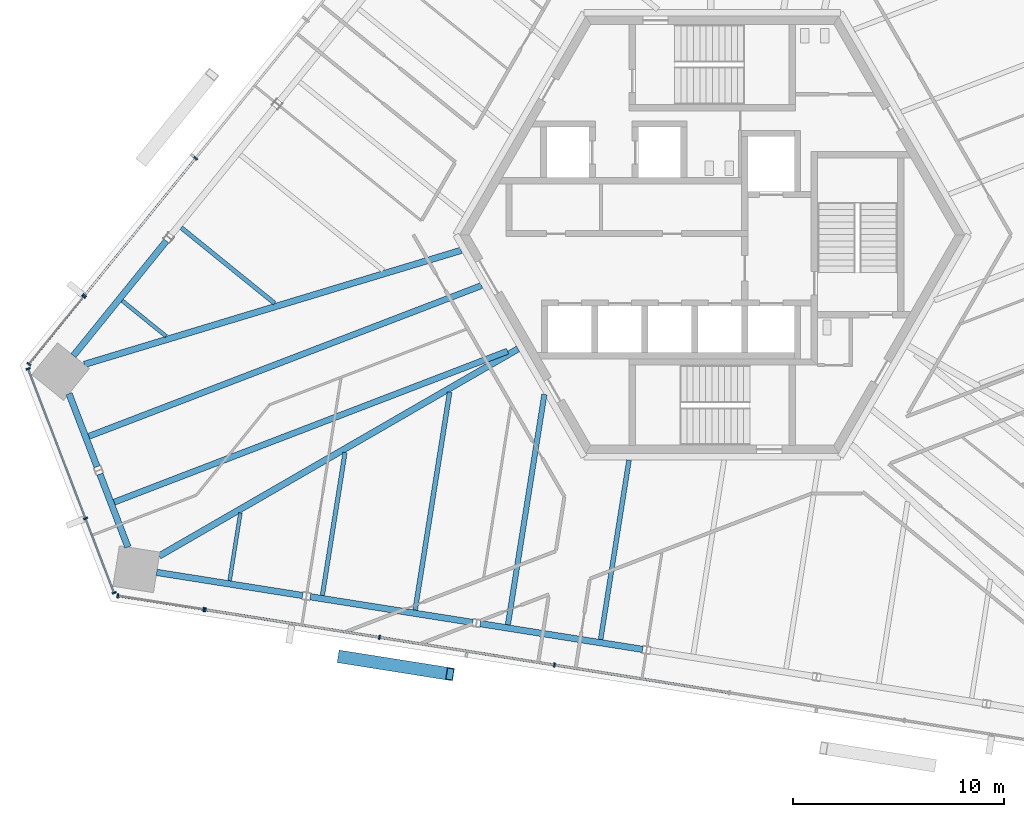
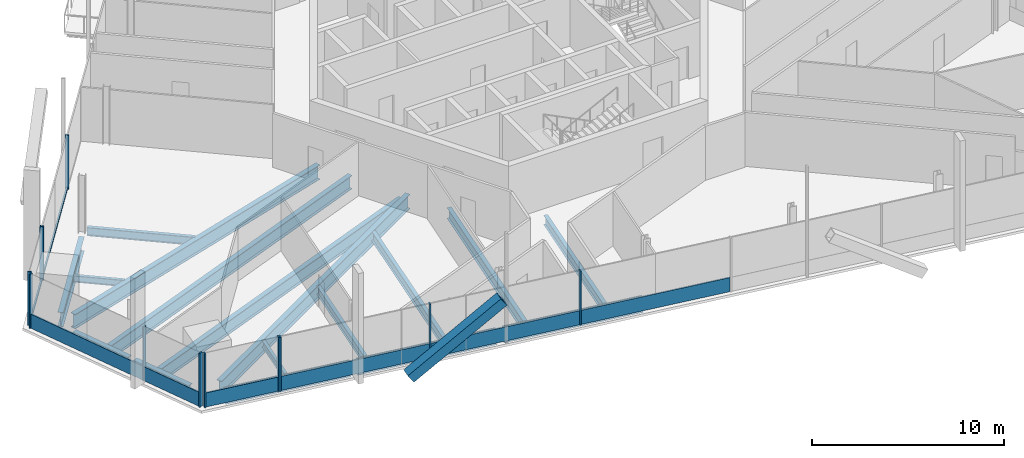
# One storey, part 4 of 21: 21 members, 17 beams, 5 elements without a shape of their own.
"""IFC4 building model written with IfcOpenShell, lengths in metres."""

import ifcopenshell
import ifcopenshell.guid

model = None  # the IFC model being written
_history = None  # IfcOwnerHistory: only IFC2X3 demands one
_inside = {}  # id of a spatial element -> (the spatial element, [elements in it])
_under = {}  # id of a project, library or spatial element -> (it, [spatial elements below it])
_declared = {}  # id of a project -> (the project, [libraries it declares])
_typed = {}  # id of a type object -> (the type object, [elements of that type])
_made_of = {}  # id of a material, layer set ... -> (it, [elements and type objects made of it])


def new_model(schema):
    """Start an empty IFC model of exactly this schema.

    Asked for "IFC4X3", IfcOpenShell would pick the latest addendum, in which some entities
    have other attributes; the version numbers below select the first issue.
    IFC2X3 requires an IfcOwnerHistory on every rooted entity: one is made here for all.
    """
    global model, _history
    if schema == "IFC4X3":
        model = ifcopenshell.file(schema_version=(4, 3, 0, 0))
    else:
        model = ifcopenshell.file(schema=schema)
    _inside.clear()
    _under.clear()
    _declared.clear()
    _typed.clear()
    _made_of.clear()
    _history = None
    if model.schema == "IFC2X3":
        org = make("IfcOrganization", Name="unknown")
        user = make(
            "IfcPersonAndOrganization",
            ThePerson=make("IfcPerson", FamilyName="unknown"),
            TheOrganization=org,
        )
        app = make(
            "IfcApplication",
            ApplicationDeveloper=org,
            Version="unknown",
            ApplicationFullName="unknown",
            ApplicationIdentifier="unknown",
        )
        _history = make(
            "IfcOwnerHistory",
            OwningUser=user,
            OwningApplication=app,
            ChangeAction="ADDED",
            CreationDate=0,
        )
    return model


def make(cls, **values):
    """One entity of the class cls with the attributes given. An attribute that is None is left unset."""
    return model.create_entity(
        cls, **{name: value for name, value in values.items() if value is not None}
    )


def rooted(cls, **values):
    """An entity with a GlobalId (a new one), such as an element, a storey or a relation."""
    return make(cls, GlobalId=ifcopenshell.guid.new(), OwnerHistory=_history, **values)


def si_unit(unit_type, name, prefix=None):
    """IfcSIUnit, for example si_unit("LENGTHUNIT", "METRE", prefix="MILLI")."""
    return make("IfcSIUnit", UnitType=unit_type, Prefix=prefix, Name=name)


def assignment(units):
    """IfcUnitAssignment: the units of a project."""
    return None if units is None else make("IfcUnitAssignment", Units=units)


def point(xyz):
    """IfcCartesianPoint."""
    return None if xyz is None else make("IfcCartesianPoint", Coordinates=xyz)


def direction(xyz):
    """IfcDirection."""
    return None if xyz is None else make("IfcDirection", DirectionRatios=xyz)


def frame(location, z_axis=None, x_axis=None):
    """IfcAxis2Placement3D, a coordinate frame: its origin and axes. An axis left out is left unset."""
    return make(
        "IfcAxis2Placement3D",
        Location=point(location),
        Axis=direction(z_axis),
        RefDirection=direction(x_axis),
    )


def frame_2d(location, x_axis=None):
    """IfcAxis2Placement2D, a coordinate frame in the plane: its origin and x axis."""
    return make(
        "IfcAxis2Placement2D", Location=point(location), RefDirection=direction(x_axis)
    )


def origin():
    """The frame at (0, 0, 0) with its axes left unset."""
    return frame((0.0, 0.0, 0.0))


def origin_2d():
    """The frame at (0, 0) in the plane with its x axis left unset."""
    return frame_2d((0.0, 0.0))


def place(relative_to, where):
    """IfcLocalPlacement: puts the frame where relative to a parent placement (None: the world)."""
    return make(
        "IfcLocalPlacement", PlacementRelTo=relative_to, RelativePlacement=where
    )


def context(
    kind, dimensions, precision=None, world=None, true_north=None, identifier=None
):
    """IfcGeometricRepresentationContext, for example the 3D "Model" context."""
    return make(
        "IfcGeometricRepresentationContext",
        ContextIdentifier=identifier,
        ContextType=kind,
        CoordinateSpaceDimension=dimensions,
        Precision=precision,
        WorldCoordinateSystem=world,
        TrueNorth=true_north,
    )


def subcontext(parent, identifier, kind, view, scale=None):
    """IfcGeometricRepresentationSubContext, for example "Body" below "Model"."""
    return make(
        "IfcGeometricRepresentationSubContext",
        ContextIdentifier=identifier,
        ContextType=kind,
        ParentContext=parent,
        TargetScale=scale,
        TargetView=view,
    )


def project(units=None, contexts=None):
    """IfcProject with its units and contexts."""
    return rooted(
        "IfcProject",
        Name="project",
        RepresentationContexts=contexts,
        UnitsInContext=assignment(units),
    )


def spatial(cls, under=None, at=None, **own):
    """A site, building, storey or space (cls), placed at a placement, below another one or the project."""
    s = rooted(cls, ObjectPlacement=at, **own)
    if under is not None:
        _under.setdefault(under.id(), (under, []))[1].append(s)
    return s


def profile(cls, at=None, kind="AREA", **sizes):
    """A parametric profile (cls). Its sizes go by their IFC names, for example OverallWidth=200.0."""
    return make(cls, ProfileType=kind, Position=at, **sizes)


def rectangle(**sizes):
    """IfcRectangleProfileDef."""
    return profile("IfcRectangleProfileDef", **sizes)


def hollow_rectangle(**sizes):
    """IfcRectangleHollowProfileDef."""
    return profile("IfcRectangleHollowProfileDef", **sizes)


def i_section(**sizes):
    """IfcIShapeProfileDef."""
    return profile("IfcIShapeProfileDef", **sizes)


def extrude(swept, where, along, depth):
    """IfcExtrudedAreaSolid: the profile swept, set in the frame where, extruded along a direction by depth."""
    return make(
        "IfcExtrudedAreaSolid",
        SweptArea=swept,
        Position=where,
        ExtrudedDirection=direction(along),
        Depth=depth,
    )


def shape(context_of_items, identifier, shape_type, items):
    """IfcShapeRepresentation: the items that make up one representation, for example the "Body"."""
    return make(
        "IfcShapeRepresentation",
        ContextOfItems=context_of_items,
        RepresentationIdentifier=identifier,
        RepresentationType=shape_type,
        Items=items,
    )


def source(mapping_origin, context_of_items, identifier, shape_type, items):
    """IfcRepresentationMap: a shape defined once, which mapped items show again and again."""
    return make(
        "IfcRepresentationMap",
        MappingOrigin=mapping_origin,
        MappedRepresentation=shape(context_of_items, identifier, shape_type, items),
    )


def transform(
    local_origin,
    x_axis=None,
    y_axis=None,
    z_axis=None,
    scale=None,
    scale2=None,
    scale3=None,
    uniform=True,
):
    """IfcCartesianTransformationOperator3D, or its non-uniform kind. x_axis, y_axis, z_axis: its Axis1, 2, 3."""
    if uniform:
        return make(
            "IfcCartesianTransformationOperator3D",
            Axis1=direction(x_axis),
            Axis2=direction(y_axis),
            LocalOrigin=point(local_origin),
            Scale=scale,
            Axis3=direction(z_axis),
        )
    return make(
        "IfcCartesianTransformationOperator3DnonUniform",
        Axis1=direction(x_axis),
        Axis2=direction(y_axis),
        LocalOrigin=point(local_origin),
        Scale=scale,
        Axis3=direction(z_axis),
        Scale2=scale2,
        Scale3=scale3,
    )


def mapped(mapping_source, mapping_target):
    """IfcMappedItem: shows the shape of a source again, moved by a transform."""
    return make(
        "IfcMappedItem", MappingSource=mapping_source, MappingTarget=mapping_target
    )


def material(Name=None, Category=None):
    """IfcMaterial."""
    return make("IfcMaterial", Name=Name, Category=Category)


def material_profile(
    of_material, cross_section, Name=None, Category=None, Priority=None
):
    """IfcMaterialProfile: a cross section and its material."""
    return make(
        "IfcMaterialProfile",
        Name=Name,
        Material=of_material,
        Profile=cross_section,
        Priority=Priority,
        Category=Category,
    )


def profile_set(profiles, Name=None, composite=None):
    """IfcMaterialProfileSet."""
    return make(
        "IfcMaterialProfileSet",
        Name=Name,
        MaterialProfiles=profiles,
        CompositeProfile=composite,
    )


def made_of(thing, what):
    """Note that an element or type object is made of a material, layer set ...; save() writes the relation."""
    if what is not None:
        _made_of.setdefault(what.id(), (what, []))[1].append(thing)
    return thing


def type_object(cls, material=None, **own):
    """A type object (cls), such as IfcWallType, which elements share."""
    return made_of(rooted(cls, **own), material)


def element(
    cls,
    number,
    at=None,
    inside=None,
    cuts=None,
    type_object=None,
    material=None,
    context=None,
    identifier="Body",
    shape_type=None,
    held_by="IfcProductDefinitionShape",
    body=None,
    shapes=None,
    **own,
):
    """One element of the class cls, such as IfcWall. Its Tag is "e" and its number.

    at: its placement. inside: the storey or other place that contains it. cuts: it is an
    opening in that element (IfcRelVoidsElement). A single representation is given by context,
    identifier, shape_type and body (its items); several are given by shapes. held_by: the class
    of the entity that holds the representations. save() writes the other relations.
    """
    e = rooted(cls, Tag="e%d" % number, ObjectPlacement=at, **own)
    if body is not None:
        shapes = [shape(context, identifier, shape_type, body)]
    if shapes is not None:
        e.Representation = make(held_by, Representations=shapes)
    if inside is not None:
        _inside.setdefault(inside.id(), (inside, []))[1].append(e)
    if cuts is not None:
        rooted(
            "IfcRelVoidsElement", RelatingBuildingElement=cuts, RelatedOpeningElement=e
        )
    if type_object is not None:
        _typed.setdefault(type_object.id(), (type_object, []))[1].append(e)
    return made_of(e, material)


def aggregate(whole, parts):
    """IfcRelAggregates: a whole, such as a stair, and the parts it consists of."""
    return rooted("IfcRelAggregates", RelatingObject=whole, RelatedObjects=parts)


def save(model, path):
    """Write the relations noted so far, then the file.

    IfcRelAggregates (storeys below a building ...), IfcRelContainedInSpatialStructure (elements
    in a storey), IfcRelDefinesByType, IfcRelAssociatesMaterial and IfcRelDeclares: one each for
    every whole, place, type object, material and project.
    """
    for whole, parts in _under.values():
        aggregate(whole, parts)
    for where, things in _inside.values():
        rooted(
            "IfcRelContainedInSpatialStructure",
            RelatedElements=things,
            RelatingStructure=where,
        )
    for kind, things in _typed.values():
        rooted("IfcRelDefinesByType", RelatedObjects=things, RelatingType=kind)
    for what, things in _made_of.values():
        rooted("IfcRelAssociatesMaterial", RelatedObjects=things, RelatingMaterial=what)
    for by, libraries in _declared.values():
        rooted("IfcRelDeclares", RelatingContext=by, RelatedDefinitions=libraries)
    model.write(path)


model = new_model("IFC4")

# Units and contexts
model_context = context("Model", 3, precision=1e-05, world=origin(), true_north=direction((0.0, 1.0)))
body_context = subcontext(model_context, "Body", "Model", "MODEL_VIEW")
ifc_project = project(units=[si_unit("LENGTHUNIT", "METRE"), si_unit("AREAUNIT", "SQUARE_METRE"), si_unit("VOLUMEUNIT", "CUBIC_METRE"), si_unit("PLANEANGLEUNIT", "RADIAN"), si_unit("MASSUNIT", "GRAM", prefix="KILO")], contexts=[model_context])

# Site, building, storey
site_placement = place(None, origin())
site = spatial("IfcSite", under=ifc_project, at=site_placement, CompositionType="ELEMENT")
building_placement = place(site_placement, origin())
building = spatial("IfcBuilding", under=site, at=building_placement, Name="Triune Harvest Tower", CompositionType="ELEMENT")
storey_placement = place(building_placement, frame((0.0, 0.0, 146.10009765625)))
storey = spatial("IfcBuildingStorey", under=building, at=storey_placement, Name="L37", CompositionType="ELEMENT", Elevation=146.10009765625)

# Beams
ifc_material_1 = material(Name="Steel ASTM A992 Gr 50", Category="steel")
ifc_material_profile_1 = material_profile(ifc_material_1, i_section(OverallWidth=0.3046875, OverallDepth=0.914306640625, WebThickness=0.0166015625, FlangeThickness=0.02587890625, at=origin_2d()), Name="W36x160")
ifc_profile_set_1 = profile_set([ifc_material_profile_1], Name="Steel ASTM A992 Gr 50")
beam_type_1 = type_object("IfcBeamType", Name="SB-1 Spandrel beam W36x160", PredefinedType="SPANDREL", material=ifc_profile_set_1)
shared_shape_1 = source(origin(), body_context, "Body", "SweptSolid", [
    extrude(i_section(OverallWidth=0.3046875, OverallDepth=0.914306640625, WebThickness=0.0166015625, FlangeThickness=0.02587890625, at=origin_2d()), origin(), (0.0, 0.0, 1.0), 7.013427734375),
])
for number, where, z_axis, x_axis, name in (
    (1, (-25.920166015625, -0.2890625, -0.6171875), (-0.629311381255, -0.777153257358, 0.0), (0.777153257358, -0.629311381255, 0.0), "beam/L37/SB14"),
    (2, (-26.3828125, -16.031982421875, -0.6171875), (0.987682109987, -0.156473798484, 0.0), (0.156473798484, 0.987682109987, 0.0), "beam/L37/SB17"),
):
    element("IfcBeam", number, at=place(storey_placement, frame(where, z_axis=z_axis, x_axis=x_axis)), inside=storey, type_object=beam_type_1, Name=name, PredefinedType="SPANDREL", context=body_context, shape_type="MappedRepresentation", body=[
        mapped(shared_shape_1, transform((0.0, 0.0, 0.0), scale=1.0)),
    ])
shared_shape_2 = source(origin(), body_context, "Body", "SweptSolid", [
    extrude(i_section(OverallWidth=0.3046875, OverallDepth=0.914306640625, WebThickness=0.0166015625, FlangeThickness=0.02587890625, at=origin_2d()), origin(), (0.0, 0.0, 1.0), 3.71240234375),
])
beam_1_placement = place(storey_placement, frame((-30.5439453125, -7.548095703125, -0.6171875), z_axis=(0.358406131368, -0.933565768973, 0.0), x_axis=(0.933565768973, 0.358406131368, 0.0)))
element("IfcBeam", 3, at=beam_1_placement, inside=storey, type_object=beam_type_1, Name="beam/L37/SB15", PredefinedType="SPANDREL", context=body_context, shape_type="MappedRepresentation", body=[
    mapped(shared_shape_2, transform((0.0, 0.0, 0.0), scale=1.0)),
])
shared_shape_3 = source(origin(), body_context, "Body", "SweptSolid", [
    extrude(i_section(OverallWidth=0.3046875, OverallDepth=0.914306640625, WebThickness=0.0166015625, FlangeThickness=0.02587890625, at=origin_2d()), origin(), (0.0, 0.0, 1.0), 7.801513671875),
])
for number, where, z_axis, x_axis, name in (
    (4, (-19.087158203125, -17.187744140625, -0.6171875), (0.98768800071, -0.156436610974, 0.0), (0.156436610974, 0.98768800071, 0.0), "beam/L37/SB18"),
    (5, (-11.0126953125, -18.466552734375, -0.6171875), (0.98768800071, -0.156436610974, 0.0), (0.156436610974, 0.98768800071, 0.0), "beam/L37/SB19"),
):
    element("IfcBeam", number, at=place(storey_placement, frame(where, z_axis=z_axis, x_axis=x_axis)), inside=storey, type_object=beam_type_1, Name=name, PredefinedType="SPANDREL", context=body_context, shape_type="MappedRepresentation", body=[
        mapped(shared_shape_3, transform((0.0, 0.0, 0.0), scale=1.0)),
    ])
shared_shape_4 = source(origin(), body_context, "Body", "SweptSolid", [
    extrude(i_section(OverallWidth=0.3046875, OverallDepth=0.914306640625, WebThickness=0.0166015625, FlangeThickness=0.02587890625, at=origin_2d()), origin(), (0.0, 0.0, 1.0), 3.712646484375),
])
beam_2_placement = place(storey_placement, frame((-29.07958984375, -11.362548828125, -0.6171875), z_axis=(0.358326814132, -0.933596215863, 0.0), x_axis=(0.933596215863, 0.358326814132, 0.0)))
element("IfcBeam", 6, at=beam_2_placement, inside=storey, type_object=beam_type_1, Name="beam/L37/SB16", PredefinedType="SPANDREL", context=body_context, shape_type="MappedRepresentation", body=[
    mapped(shared_shape_4, transform((0.0, 0.0, 0.0), scale=1.0)),
])
ifc_material_2 = material(Name="Steel ASTM A992 Gr 50", Category="steel")
ifc_material_profile_2 = material_profile(ifc_material_2, i_section(OverallWidth=0.307373046875, OverallDepth=0.922119140625, WebThickness=0.018310546875, FlangeThickness=0.030029296875, at=origin_2d()), Name="W36x182")
ifc_profile_set_2 = profile_set([ifc_material_profile_2], Name="Steel ASTM A992 Gr 50")
beam_type_2 = type_object("IfcBeamType", Name="HG-2 Hip girder W36x182", PredefinedType="BEAM", material=ifc_profile_set_2)
shared_shape_5 = source(origin(), body_context, "Body", "SweptSolid", [
    extrude(i_section(OverallWidth=0.307373046875, OverallDepth=0.922119140625, WebThickness=0.018310546875, FlangeThickness=0.030029296875, at=origin_2d()), origin(), (0.0, 0.0, 1.0), 19.670166015625),
])
beam_3_placement = place(storey_placement, frame((-26.25927734375, -15.252197265625, -0.62109375), z_axis=(0.866028709221, 0.499994274773, 0.0), x_axis=(-0.499994274773, 0.866028709221, 0.0)))
element("IfcBeam", 7, at=beam_3_placement, inside=storey, type_object=beam_type_2, Name="beam/L37/HG6", PredefinedType="BEAM", context=body_context, shape_type="MappedRepresentation", body=[
    mapped(shared_shape_5, transform((0.0, 0.0, 0.0), scale=1.0)),
])
shared_shape_6 = source(origin(), body_context, "Body", "SweptSolid", [
    extrude(i_section(OverallWidth=0.307373046875, OverallDepth=0.922119140625, WebThickness=0.018310546875, FlangeThickness=0.030029296875, at=origin_2d()), origin(), (0.0, 0.0, 1.0), 18.69580078125),
])
beam_4_placement = place(storey_placement, frame((-29.819580078125, -6.15576171875, -0.62109375), z_axis=(0.957096860763, 0.289768181686, 0.0), x_axis=(-0.289768181686, 0.957096860763, 0.0)))
element("IfcBeam", 8, at=beam_4_placement, inside=storey, type_object=beam_type_2, Name="beam/L37/HG5", PredefinedType="BEAM", context=body_context, shape_type="MappedRepresentation", body=[
    mapped(shared_shape_6, transform((0.0, 0.0, 0.0), scale=1.0)),
])
ifc_material_3 = material(Name="Steel ASTM A992 Gr 50", Category="steel")
ifc_material_profile_3 = material_profile(ifc_material_3, i_section(OverallWidth=0.2099609375, OverallDepth=0.535888671875, WebThickness=0.010986328125, FlangeThickness=0.017333984375, at=origin_2d()), Name="W21x68")
ifc_profile_set_3 = profile_set([ifc_material_profile_3], Name="Steel ASTM A992 Gr 50")
beam_type_3 = type_object("IfcBeamType", Name="JT-2 Floor joist W21x68", PredefinedType="JOIST", material=ifc_profile_set_3)
shared_shape_7 = source(origin(), body_context, "Body", "SweptSolid", [
    extrude(i_section(OverallWidth=0.2099609375, OverallDepth=0.535888671875, WebThickness=0.010986328125, FlangeThickness=0.017333984375, at=origin_2d()), origin(), (0.0, 0.0, 1.0), 6.871826171875),
])
beam_5_placement = place(storey_placement, frame((-18.513671875, -17.124267578125, -0.427978515625), z_axis=(0.156431434427, 0.987688820592, 0.0), x_axis=(-0.987688820592, 0.156431434427, 0.0)))
element("IfcBeam", 9, at=beam_5_placement, inside=storey, type_object=beam_type_3, Name="beam/L37/JT26", PredefinedType="JOIST", context=body_context, shape_type="MappedRepresentation", body=[
    mapped(shared_shape_7, transform((0.0, 0.0, 0.0), scale=1.0)),
])
ifc_material_4 = material(Name="Steel ASTM A992 Gr 50", Category="steel")
ifc_material_profile_4 = material_profile(ifc_material_4, i_section(OverallWidth=0.22900390625, OverallDepth=0.612060546875, WebThickness=0.011962890625, FlangeThickness=0.01953125, at=origin_2d()), Name="W24x84")
ifc_profile_set_4 = profile_set([ifc_material_profile_4], Name="Steel ASTM A992 Gr 50")
beam_type_4 = type_object("IfcBeamType", Name="JT-3 Floor joist W24x84", PredefinedType="JOIST", material=ifc_profile_set_4)
shared_shape_8 = source(origin(), body_context, "Body", "SweptSolid", [
    extrude(i_section(OverallWidth=0.22900390625, OverallDepth=0.612060546875, WebThickness=0.011962890625, FlangeThickness=0.01953125, at=origin_2d()), origin(), (0.0, 0.0, 1.0), 10.482666015625),
])
beam_6_placement = place(storey_placement, frame((-14.109375, -17.82177734375, -0.46630859375), z_axis=(0.156439750993, 0.987687503368, 0.0), x_axis=(-0.987687503368, 0.156439750993, 0.0)))
element("IfcBeam", 10, at=beam_6_placement, inside=storey, type_object=beam_type_4, Name="beam/L37/JT27", PredefinedType="JOIST", context=body_context, shape_type="MappedRepresentation", body=[
    mapped(shared_shape_8, transform((0.0, 0.0, 0.0), scale=1.0)),
])
ifc_material_5 = material(Name="Steel ASTM A992 Gr 50", Category="steel")
ifc_material_profile_5 = material_profile(ifc_material_5, i_section(OverallWidth=0.180908203125, OverallDepth=0.41650390625, WebThickness=0.010986328125, FlangeThickness=0.01806640625, at=origin_2d()), Name="W16x57")
ifc_profile_set_5 = profile_set([ifc_material_profile_5], Name="Steel ASTM A992 Gr 50")
beam_type_5 = type_object("IfcBeamType", Name="JT-1 Floor joist W16x57", PredefinedType="JOIST", material=ifc_profile_set_5)
shared_shape_9 = source(origin(), body_context, "Body", "SweptSolid", [
    extrude(i_section(OverallWidth=0.180908203125, OverallDepth=0.41650390625, WebThickness=0.010986328125, FlangeThickness=0.01806640625, at=origin_2d()), origin(), (0.0, 0.0, 1.0), 2.687255859375),
])
beam_7_placement = place(storey_placement, frame((-28.022705078125, -3.127685546875, -0.368408203125), z_axis=(0.777141190223, -0.629326282987, 0.0), x_axis=(0.629326282987, 0.777141190223, 0.0)))
element("IfcBeam", 11, at=beam_7_placement, inside=storey, type_object=beam_type_5, Name="beam/L37/JT22", PredefinedType="JOIST", context=body_context, shape_type="MappedRepresentation", body=[
    mapped(shared_shape_9, transform((0.0, 0.0, 0.0), scale=1.0)),
])
ifc_material_6 = material(Name="Steel ASTM A992 Gr 50", Category="steel")
ifc_material_profile_6 = material_profile(ifc_material_6, i_section(OverallWidth=0.2919921875, OverallDepth=0.8583984375, WebThickness=0.01708984375, FlangeThickness=0.031005859375, at=origin_2d()), Name="W33x169")
ifc_profile_set_6 = profile_set([ifc_material_profile_6], Name="Steel ASTM A992 Gr 50")
beam_type_6 = type_object("IfcBeamType", Name="JT-7 Floor joist W33x169", PredefinedType="JOIST", material=ifc_profile_set_6)
shared_shape_10 = source(origin(), body_context, "Body", "SweptSolid", [
    extrude(i_section(OverallWidth=0.2919921875, OverallDepth=0.8583984375, WebThickness=0.01708984375, FlangeThickness=0.031005859375, at=origin_2d()), origin(), (0.0, 0.0, 1.0), 19.97216796875),
])
beam_8_placement = place(storey_placement, frame((-29.6044921875, -9.570068359375, -0.58935546875), z_axis=(0.933578234713, 0.358373659287, 0.0), x_axis=(-0.358373659287, 0.933578234713, 0.0)))
element("IfcBeam", 12, at=beam_8_placement, inside=storey, type_object=beam_type_6, Name="beam/L37/JT23", PredefinedType="JOIST", context=body_context, shape_type="MappedRepresentation", body=[
    mapped(shared_shape_10, transform((0.0, 0.0, 0.0), scale=1.0)),
])
shared_shape_11 = source(origin(), body_context, "Body", "SweptSolid", [
    extrude(i_section(OverallWidth=0.180908203125, OverallDepth=0.41650390625, WebThickness=0.010986328125, FlangeThickness=0.01806640625, at=origin_2d()), origin(), (0.0, 0.0, 1.0), 3.2607421875),
])
beam_9_placement = place(storey_placement, frame((-22.917724609375, -16.4267578125, -0.368408203125), z_axis=(0.156404699139, 0.987693054591, 0.0), x_axis=(-0.987693054591, 0.156404699139, 0.0)))
element("IfcBeam", 13, at=beam_9_placement, inside=storey, type_object=beam_type_5, Name="beam/L37/JT25", PredefinedType="JOIST", context=body_context, shape_type="MappedRepresentation", body=[
    mapped(shared_shape_11, transform((0.0, 0.0, 0.0), scale=1.0)),
])
ifc_material_7 = material(Name="Steel ASTM A992 Gr 50", Category="steel")
ifc_material_profile_7 = material_profile(ifc_material_7, i_section(OverallWidth=0.253662109375, OverallDepth=0.683349609375, WebThickness=0.012451171875, FlangeThickness=0.01904296875, at=origin_2d()), Name="W27x94")
ifc_profile_set_7 = profile_set([ifc_material_profile_7], Name="Steel ASTM A992 Gr 50")
beam_type_7 = type_object("IfcBeamType", Name="JT-4 Floor joist W27x94", PredefinedType="JOIST", material=ifc_profile_set_7)
shared_shape_12 = source(origin(), body_context, "Body", "SweptSolid", [
    extrude(i_section(OverallWidth=0.253662109375, OverallDepth=0.683349609375, WebThickness=0.012451171875, FlangeThickness=0.01904296875, at=origin_2d()), origin(), (0.0, 0.0, 1.0), 11.0712890625),
])
beam_10_placement = place(storey_placement, frame((-9.705078125, -18.519287109375, -0.501708984375), z_axis=(0.156433624309, 0.987688473753, 0.0), x_axis=(-0.987688473753, 0.156433624309, 0.0)))
element("IfcBeam", 14, at=beam_10_placement, inside=storey, type_object=beam_type_7, Name="beam/L37/JT28", PredefinedType="JOIST", context=body_context, shape_type="MappedRepresentation", body=[
    mapped(shared_shape_12, transform((0.0, 0.0, 0.0), scale=1.0)),
])
shared_shape_13 = source(origin(), body_context, "Body", "SweptSolid", [
    extrude(i_section(OverallWidth=0.22900390625, OverallDepth=0.612060546875, WebThickness=0.011962890625, FlangeThickness=0.01953125, at=origin_2d()), origin(), (0.0, 0.0, 1.0), 8.6259765625),
])
beam_11_placement = place(storey_placement, frame((-5.301025390625, -19.216796875, -0.46630859375), z_axis=(0.156430549504, 0.987688960747, 0.0), x_axis=(-0.987688960747, 0.156430549504, 0.0)))
element("IfcBeam", 15, at=beam_11_placement, inside=storey, type_object=beam_type_4, Name="beam/L37/JT29", PredefinedType="JOIST", context=body_context, shape_type="MappedRepresentation", body=[
    mapped(shared_shape_13, transform((0.0, 0.0, 0.0), scale=1.0)),
])
shared_shape_14 = source(origin(), body_context, "Body", "SweptSolid", [
    extrude(i_section(OverallWidth=0.2099609375, OverallDepth=0.535888671875, WebThickness=0.010986328125, FlangeThickness=0.017333984375, at=origin_2d()), origin(), (0.0, 0.0, 1.0), 5.71240234375),
])
beam_12_placement = place(storey_placement, frame((-25.216552734375, 0.337646484375, -0.427978515625), z_axis=(0.777148320449, -0.629317477926, 0.0), x_axis=(0.629317477926, 0.777148320449, 0.0)))
element("IfcBeam", 16, at=beam_12_placement, inside=storey, type_object=beam_type_3, Name="beam/L37/JT21", PredefinedType="JOIST", context=body_context, shape_type="MappedRepresentation", body=[
    mapped(shared_shape_14, transform((0.0, 0.0, 0.0), scale=1.0)),
])
shared_shape_15 = source(origin(), body_context, "Body", "SweptSolid", [
    extrude(i_section(OverallWidth=0.2919921875, OverallDepth=0.8583984375, WebThickness=0.01708984375, FlangeThickness=0.031005859375, at=origin_2d()), origin(), (0.0, 0.0, 1.0), 20.01611328125),
])
beam_13_placement = place(storey_placement, frame((-28.404052734375, -12.697509765625, -0.58935546875), z_axis=(0.933581802132, 0.358364365875, 0.0), x_axis=(-0.358364365875, 0.933581802132, 0.0)))
element("IfcBeam", 17, at=beam_13_placement, inside=storey, type_object=beam_type_6, Name="beam/L37/JT24", PredefinedType="JOIST", context=body_context, shape_type="MappedRepresentation", body=[
    mapped(shared_shape_15, transform((0.0, 0.0, 0.0), scale=1.0)),
])

# Member
ifc_material_8 = material(Name="Steel ASTM A572 Gr 50", Category="steel")
ifc_material_profile_8 = material_profile(ifc_material_8, hollow_rectangle(XDim=0.60009765625, YDim=0.60009765625, WallThickness=0.0400390625, at=origin_2d()), Name="Box 600x600x40")
ifc_profile_set_8 = profile_set([ifc_material_profile_8], Name="Steel ASTM A572 Gr 50")
member_type_1 = type_object("IfcMemberType", Name="BR-2 Brace Box 600x600x40", PredefinedType="BRACE", material=ifc_profile_set_8)
shared_shape_16 = source(origin(), body_context, "Body", "SweptSolid", [
    extrude(hollow_rectangle(XDim=0.60009765625, YDim=0.60009765625, WallThickness=0.0400390625, at=origin_2d()), origin(), (0.0, 0.0, 1.0), 6.328857421875),
])
member_1_placement = place(storey_placement, frame((-17.59619140625, -20.044677734375, 0.0), z_axis=(0.812353208141, -0.128686561677, 0.5687899736), x_axis=(0.156461096524, 0.987684122214, 0.0)))
element("IfcMember", 18, at=member_1_placement, inside=storey, type_object=member_type_1, Name="brace/B4-F5/d1/3", PredefinedType="BRACE", context=body_context, shape_type="MappedRepresentation", body=[
    mapped(shared_shape_16, transform((0.0, 0.0, 0.0), scale=1.0)),
])

# Curtain wall, members
ifc_material_9 = material(Name="Aluminium bronze anodised", Category="aluminium")
curtain_wall_type_1 = type_object("IfcCurtainWallType", Name="CW-1 Tower stick curtain wall", PredefinedType="NOTDEFINED", material=ifc_material_9)
curtain_wall_1_placement = place(storey_placement, origin())
curtain_wall_1 = element("IfcCurtainWall", 19, at=curtain_wall_1_placement, inside=storey, type_object=curtain_wall_type_1, Name="CW-1 B4-F4 L37 run 1")
ifc_material_10 = material(Name="Aluminium bronze anodised", Category="aluminium")
ifc_material_profile_9 = material_profile(ifc_material_10, rectangle(XDim=0.199951171875, YDim=0.074951171875, at=origin_2d()), Name="MU-1 mullion 75 x 200")
ifc_profile_set_9 = profile_set([ifc_material_profile_9], Name="Aluminium bronze anodised")
member_type_2 = type_object("IfcMemberType", Name="MU-1 mullion 75 x 200", PredefinedType="MULLION", material=ifc_profile_set_9)
shared_shape_17 = source(origin(), body_context, "Body", "SweptSolid", [
    extrude(rectangle(XDim=0.199951171875, YDim=0.074951171875, at=origin_2d()), origin(), (0.0, 0.0, 1.0), 3.43994140625),
])
member_2_placement = place(storey_placement, frame((-32.485595703125, -6.365234375, 0.0), z_axis=(0.0, 0.0, 1.0), x_axis=(0.933580057745, 0.358368910177, 0.0)))
member_2 = element("IfcMember", 20, at=member_2_placement, type_object=member_type_2, Name="CW-1 mullion B4-F4 1.1", PredefinedType="MULLION", context=body_context, shape_type="MappedRepresentation", body=[
    mapped(shared_shape_17, transform((0.0, 0.0, 0.0), scale=1.0)),
])
member_3_placement = place(storey_placement, frame((-29.7578125, -13.47119140625, 0.0), z_axis=(0.0, 0.0, 1.0), x_axis=(0.933580057745, 0.358368910177, 0.0)))
member_3 = element("IfcMember", 21, at=member_3_placement, type_object=member_type_2, Name="CW-1 mullion B4-F4 1.3", PredefinedType="MULLION", context=body_context, shape_type="MappedRepresentation", body=[
    mapped(shared_shape_17, transform((0.0, 0.0, 0.0), scale=1.0)),
])
member_4_placement = place(storey_placement, frame((-28.400634765625, -17.0068359375, 0.0), z_axis=(0.0, 0.0, 1.0), x_axis=(0.933580057745, 0.358368910177, 0.0)))
member_4 = element("IfcMember", 22, at=member_4_placement, type_object=member_type_2, Name="CW-1 mullion B4-F4 1.4", PredefinedType="MULLION", context=body_context, shape_type="MappedRepresentation", body=[
    mapped(shared_shape_17, transform((0.0, 0.0, 0.0), scale=1.0)),
])

curtain_wall_2_placement = place(storey_placement, origin())
curtain_wall_2 = element("IfcCurtainWall", 23, at=curtain_wall_2_placement, inside=storey, type_object=curtain_wall_type_1, Name="CW-1 B4-F5 L37 run 1")
member_5_placement = place(storey_placement, frame((-28.22900390625, -17.145751953125, 0.0), z_axis=(0.0, 0.0, 1.0), x_axis=(0.15644446033, 0.987686757445, 0.0)))
member_5 = element("IfcMember", 24, at=member_5_placement, type_object=member_type_2, Name="CW-1 mullion B4-F5 1.1", PredefinedType="MULLION", context=body_context, shape_type="MappedRepresentation", body=[
    mapped(shared_shape_17, transform((0.0, 0.0, 0.0), scale=1.0)),
])
member_6_placement = place(storey_placement, frame((-24.14892578125, -17.7919921875, 0.0), z_axis=(0.0, 0.0, 1.0), x_axis=(0.15644446033, 0.987686757445, 0.0)))
member_6 = element("IfcMember", 25, at=member_6_placement, type_object=member_type_2, Name="CW-1 mullion B4-F5 1.2", PredefinedType="MULLION", context=body_context, shape_type="MappedRepresentation", body=[
    mapped(shared_shape_17, transform((0.0, 0.0, 0.0), scale=1.0)),
])

ifc_material_11 = material(Name="Aluminium bronze anodised", Category="aluminium")
curtain_wall_type_2 = type_object("IfcCurtainWallType", Name="CW-7 Tower stick curtain wall with insulated spandrel infill", PredefinedType="NOTDEFINED", material=ifc_material_11)
curtain_wall_3_placement = place(storey_placement, origin())
curtain_wall_3 = element("IfcCurtainWall", 26, at=curtain_wall_3_placement, inside=storey, type_object=curtain_wall_type_2, Name="CW-7 B4-F5 L37 run 1001")
member_7_placement = place(storey_placement, frame((-24.07470703125, -17.8037109375, 0.0), z_axis=(0.0, 0.0, 1.0), x_axis=(0.156433077296, 0.987688560391, 0.0)))
member_7 = element("IfcMember", 27, at=member_7_placement, type_object=member_type_2, Name="CW-7 mullion B4-F5 1001.1", PredefinedType="MULLION", context=body_context, shape_type="MappedRepresentation", body=[
    mapped(shared_shape_17, transform((0.0, 0.0, 0.0), scale=1.0)),
])
member_8_placement = place(storey_placement, frame((-15.802978515625, -19.11376953125, 0.0), z_axis=(0.0, 0.0, 1.0), x_axis=(0.156433077296, 0.987688560391, 0.0)))
member_8 = element("IfcMember", 28, at=member_8_placement, type_object=member_type_2, Name="CW-7 mullion B4-F5 1001.3", PredefinedType="MULLION", context=body_context, shape_type="MappedRepresentation", body=[
    mapped(shared_shape_17, transform((0.0, 0.0, 0.0), scale=1.0)),
])
member_9_placement = place(storey_placement, frame((-7.494384765625, -20.429931640625, 0.0), z_axis=(0.0, 0.0, 1.0), x_axis=(0.156433077296, 0.987688560391, 0.0)))
member_9 = element("IfcMember", 29, at=member_9_placement, type_object=member_type_2, Name="CW-7 mullion B4-F5 1001.5", PredefinedType="MULLION", context=body_context, shape_type="MappedRepresentation", body=[
    mapped(shared_shape_17, transform((0.0, 0.0, 0.0), scale=1.0)),
])

ifc_material_12 = material(Name="Aluminium bronze anodised", Category="aluminium")
curtain_wall_type_3 = type_object("IfcCurtainWallType", Name="CW-10 Balcony window wall with insulated spandrel infill", PredefinedType="NOTDEFINED", material=ifc_material_12)
curtain_wall_4_placement = place(storey_placement, origin())
curtain_wall_4 = element("IfcCurtainWall", 30, at=curtain_wall_4_placement, inside=storey, type_object=curtain_wall_type_3, Name="CW-10 B4-F3 L37 run 2")
ifc_material_13 = material(Name="Aluminium bronze anodised", Category="aluminium")
ifc_material_profile_10 = material_profile(ifc_material_13, rectangle(XDim=0.199951171875, YDim=0.074951171875, at=origin_2d()), Name="MU-6 mullion 75 x 200")
ifc_profile_set_10 = profile_set([ifc_material_profile_10], Name="Aluminium bronze anodised")
member_type_3 = type_object("IfcMemberType", Name="MU-6 mullion 75 x 200", PredefinedType="MULLION", material=ifc_profile_set_10)
shared_shape_18 = source(origin(), body_context, "Body", "SweptSolid", [
    extrude(rectangle(XDim=0.199951171875, YDim=0.074951171875, at=origin_2d()), origin(), (0.0, 0.0, 1.0), 3.43994140625),
])
member_10_placement = place(storey_placement, frame((-24.529541015625, 3.635009765625, 0.0), z_axis=(0.0, 0.0, 1.0), x_axis=(0.777144899276, -0.629321702732, 0.0)))
member_10 = element("IfcMember", 31, at=member_10_placement, type_object=member_type_3, Name="CW-10 mullion B4-F3 2.5", PredefinedType="MULLION", context=body_context, shape_type="MappedRepresentation", body=[
    mapped(shared_shape_18, transform((0.0, 0.0, 0.0), scale=1.0)),
])
member_11_placement = place(storey_placement, frame((-29.802734375, -2.876708984375, 0.0), z_axis=(0.0, 0.0, 1.0), x_axis=(0.777144899276, -0.629321702732, 0.0)))
member_11 = element("IfcMember", 32, at=member_11_placement, type_object=member_type_3, Name="CW-10 mullion B4-F3 2.7", PredefinedType="MULLION", context=body_context, shape_type="MappedRepresentation", body=[
    mapped(shared_shape_18, transform((0.0, 0.0, 0.0), scale=1.0)),
])

ifc_material_14 = material(Name="Aluminium bronze anodised", Category="aluminium")
curtain_wall_type_4 = type_object("IfcCurtainWallType", Name="CW-6 Balcony window wall", PredefinedType="NOTDEFINED", material=ifc_material_14)
curtain_wall_5_placement = place(storey_placement, origin())
curtain_wall_5 = element("IfcCurtainWall", 33, at=curtain_wall_5_placement, inside=storey, type_object=curtain_wall_type_4, Name="CW-6 B4-F3 L37 run 1002")
member_12_placement = place(storey_placement, frame((-29.849853515625, -2.93505859375, 0.0), z_axis=(0.0, 0.0, 1.0), x_axis=(0.777146280314, -0.629319997294, 0.0)))
member_12 = element("IfcMember", 34, at=member_12_placement, type_object=member_type_3, Name="CW-6 mullion B4-F3 1002.1", PredefinedType="MULLION", context=body_context, shape_type="MappedRepresentation", body=[
    mapped(shared_shape_18, transform((0.0, 0.0, 0.0), scale=1.0)),
])
member_13_placement = place(storey_placement, frame((-32.451171875, -6.147216796875, 0.0), z_axis=(0.0, 0.0, 1.0), x_axis=(0.777146280314, -0.629319997294, 0.0)))
member_13 = element("IfcMember", 35, at=member_13_placement, type_object=member_type_3, Name="CW-6 mullion B4-F3 1002.2", PredefinedType="MULLION", context=body_context, shape_type="MappedRepresentation", body=[
    mapped(shared_shape_18, transform((0.0, 0.0, 0.0), scale=1.0)),
])

# Member
ifc_material_15 = material(Name="Aluminium bronze anodised", Category="aluminium")
ifc_material_profile_11 = material_profile(ifc_material_15, rectangle(XDim=0.090087890625, YDim=0.14990234375, at=origin_2d()), Name="TR-6 transom 90 x 150")
ifc_profile_set_11 = profile_set([ifc_material_profile_11], Name="Aluminium bronze anodised")
member_type_4 = type_object("IfcMemberType", Name="TR-6 transom 90 x 150", PredefinedType="USERDEFINED", material=ifc_profile_set_11)
shared_shape_19 = source(origin(), body_context, "Body", "SweptSolid", [
    extrude(rectangle(XDim=0.090087890625, YDim=0.14990234375, at=origin_2d()), origin(), (0.0, 0.0, 1.0), 8.303955078125),
])
member_14_placement = place(storey_placement, frame((-24.55322265625, 3.60595703125, 0.074951171875), z_axis=(-0.629320011955, -0.777146268442, 0.0), x_axis=(0.777146268442, -0.629320011955, 0.0)))
member_14 = element("IfcMember", 36, at=member_14_placement, type_object=member_type_4, Name="CW-10 transom B4-F3 2.3", ObjectType="TRANSOM", PredefinedType="USERDEFINED", context=body_context, shape_type="MappedRepresentation", body=[
    mapped(shared_shape_19, transform((0.0, 0.0, 0.0), scale=1.0)),
])

aggregate(curtain_wall_4, [member_10, member_11, member_14])

shared_shape_20 = source(origin(), body_context, "Body", "SweptSolid", [
    extrude(rectangle(XDim=0.090087890625, YDim=0.14990234375, at=origin_2d()), origin(), (0.0, 0.0, 1.0), 4.05810546875),
])
member_15_placement = place(storey_placement, frame((-29.87353515625, -2.964111328125, 0.074951171875), z_axis=(-0.62932801597, -0.777139786856, 0.0), x_axis=(0.777139786856, -0.62932801597, 0.0)))
member_15 = element("IfcMember", 37, at=member_15_placement, type_object=member_type_4, Name="CW-6 transom B4-F3 1002.1", ObjectType="TRANSOM", PredefinedType="USERDEFINED", context=body_context, shape_type="MappedRepresentation", body=[
    mapped(shared_shape_20, transform((0.0, 0.0, 0.0), scale=1.0)),
])

aggregate(curtain_wall_5, [member_12, member_13, member_15])

ifc_material_16 = material(Name="Aluminium bronze anodised", Category="aluminium")
ifc_material_profile_12 = material_profile(ifc_material_16, rectangle(XDim=0.090087890625, YDim=0.89990234375, at=origin_2d()), Name="TR-1 transom 90 x 900")
ifc_profile_set_12 = profile_set([ifc_material_profile_12], Name="Aluminium bronze anodised")
member_type_5 = type_object("IfcMemberType", Name="TR-1 transom 90 x 900", PredefinedType="USERDEFINED", material=ifc_profile_set_12)
shared_shape_21 = source(origin(), body_context, "Body", "SweptSolid", [
    extrude(rectangle(XDim=0.090087890625, YDim=0.89990234375, at=origin_2d()), origin(), (0.0, 0.0, 1.0), 3.7119140625),
])
member_16_placement = place(storey_placement, frame((-29.744384765625, -13.50634765625, 0.449951171875), z_axis=(0.358392822083, -0.933570878444, 0.0), x_axis=(0.933570878444, 0.358392822083, 0.0)))
member_16 = element("IfcMember", 38, at=member_16_placement, type_object=member_type_5, Name="CW-1 transom B4-F4 1.2", ObjectType="TRANSOM", PredefinedType="USERDEFINED", context=body_context, shape_type="MappedRepresentation", body=[
    mapped(shared_shape_21, transform((0.0, 0.0, 0.0), scale=1.0)),
])

shared_shape_22 = source(origin(), body_context, "Body", "SweptSolid", [
    extrude(rectangle(XDim=0.090087890625, YDim=0.89990234375, at=origin_2d()), origin(), (0.0, 0.0, 1.0), 8.337158203125),
])
member_17_placement = place(storey_placement, frame((-7.457275390625, -20.435791015625, 0.449951171875), z_axis=(0.987689013774, -0.156430214699, 0.0), x_axis=(0.156430214699, 0.987689013774, 0.0)))
member_17 = element("IfcMember", 39, at=member_17_placement, type_object=member_type_5, Name="CW-7 transom B4-F5 1001.3", ObjectType="TRANSOM", PredefinedType="USERDEFINED", context=body_context, shape_type="MappedRepresentation", body=[
    mapped(shared_shape_22, transform((0.0, 0.0, 0.0), scale=1.0)),
])

shared_shape_23 = source(origin(), body_context, "Body", "SweptSolid", [
    extrude(rectangle(XDim=0.090087890625, YDim=0.89990234375, at=origin_2d()), origin(), (0.0, 0.0, 1.0), 7.53662109375),
])
member_18_placement = place(storey_placement, frame((-32.47216796875, -6.400146484375, 0.449951171875), z_axis=(0.358369036816, -0.933580009132, 0.0), x_axis=(0.933580009132, 0.358369036816, 0.0)))
member_18 = element("IfcMember", 40, at=member_18_placement, type_object=member_type_5, Name="CW-1 transom B4-F4 1.1", ObjectType="TRANSOM", PredefinedType="USERDEFINED", context=body_context, shape_type="MappedRepresentation", body=[
    mapped(shared_shape_23, transform((0.0, 0.0, 0.0), scale=1.0)),
])

aggregate(curtain_wall_1, [member_2, member_3, member_4, member_18, member_16])

shared_shape_24 = source(origin(), body_context, "Body", "SweptSolid", [
    extrude(rectangle(XDim=0.090087890625, YDim=0.89990234375, at=origin_2d()), origin(), (0.0, 0.0, 1.0), 8.33740234375),
])
member_19_placement = place(storey_placement, frame((-15.76611328125, -19.11962890625, 0.449951171875), z_axis=(0.987684489016, -0.156458781014, 0.0), x_axis=(0.156458781014, 0.987684489016, 0.0)))
member_19 = element("IfcMember", 41, at=member_19_placement, type_object=member_type_5, Name="CW-7 transom B4-F5 1001.2", ObjectType="TRANSOM", PredefinedType="USERDEFINED", context=body_context, shape_type="MappedRepresentation", body=[
    mapped(shared_shape_24, transform((0.0, 0.0, 0.0), scale=1.0)),
])

shared_shape_25 = source(origin(), body_context, "Body", "SweptSolid", [
    extrude(rectangle(XDim=0.090087890625, YDim=0.89990234375, at=origin_2d()), origin(), (0.0, 0.0, 1.0), 4.056396484375),
])
member_20_placement = place(storey_placement, frame((-28.192138671875, -17.151611328125, 0.449951171875), z_axis=(0.987689165137, -0.156429259, 0.0), x_axis=(0.156429259, 0.987689165137, 0.0)))
member_20 = element("IfcMember", 42, at=member_20_placement, type_object=member_type_5, Name="CW-1 transom B4-F5 1.1", ObjectType="TRANSOM", PredefinedType="USERDEFINED", context=body_context, shape_type="MappedRepresentation", body=[
    mapped(shared_shape_25, transform((0.0, 0.0, 0.0), scale=1.0)),
])

aggregate(curtain_wall_2, [member_5, member_6, member_20])

shared_shape_26 = source(origin(), body_context, "Body", "SweptSolid", [
    extrude(rectangle(XDim=0.090087890625, YDim=0.89990234375, at=origin_2d()), origin(), (0.0, 0.0, 1.0), 8.300048828125),
])
member_21_placement = place(storey_placement, frame((-24.037841796875, -17.8095703125, 0.449951171875), z_axis=(0.987689398324, -0.156427786655, 0.0), x_axis=(0.156427786655, 0.987689398324, 0.0)))
member_21 = element("IfcMember", 43, at=member_21_placement, type_object=member_type_5, Name="CW-7 transom B4-F5 1001.1", ObjectType="TRANSOM", PredefinedType="USERDEFINED", context=body_context, shape_type="MappedRepresentation", body=[
    mapped(shared_shape_26, transform((0.0, 0.0, 0.0), scale=1.0)),
])

aggregate(curtain_wall_3, [member_7, member_8, member_9, member_21, member_19, member_17])

save(model, "model.ifc")
